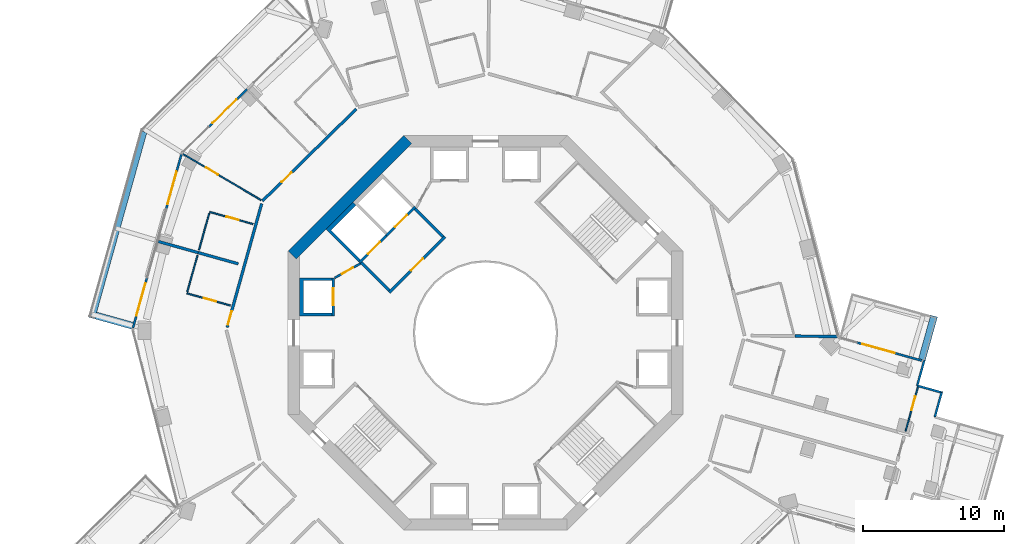
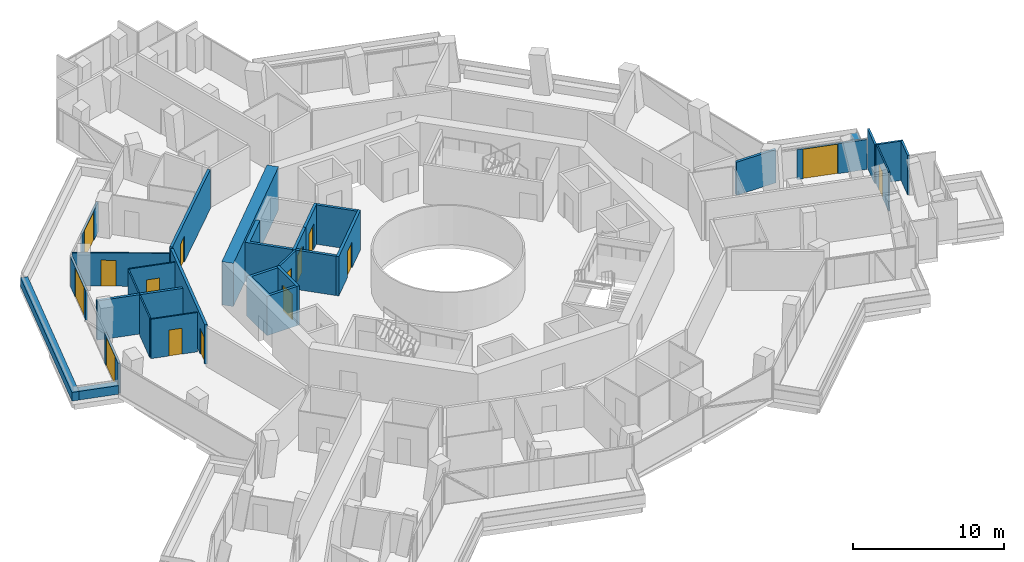
# One storey, part 21 of 26: 31 walls, 15 doors, 15 openings.
"""IFC4 building model written with IfcOpenShell, lengths in metres."""

from ifc_helpers import new_model, si_unit, direction, frame, frame_2d, origin, place, context, subcontext, project, spatial, polyline, rectangle, outline, extrude, material, layer, layer_set, type_object, element, fill, save


model = new_model("IFC4")

# Units and contexts
model_context = context("Model", 3, precision=1e-05, world=origin(), true_north=direction((0.0, 1.0)))
body_context = subcontext(model_context, "Body", "Model", "MODEL_VIEW")
ifc_project = project(units=[si_unit("LENGTHUNIT", "METRE"), si_unit("AREAUNIT", "SQUARE_METRE"), si_unit("VOLUMEUNIT", "CUBIC_METRE"), si_unit("PLANEANGLEUNIT", "RADIAN"), si_unit("MASSUNIT", "GRAM", prefix="KILO")], contexts=[model_context])

# Site, building, storey
site_placement = place(None, origin())
site = spatial("IfcSite", under=ifc_project, at=site_placement, CompositionType="ELEMENT")
building_placement = place(site_placement, origin())
building = spatial("IfcBuilding", under=site, at=building_placement, Name="Verdalira Terraces Hotel", CompositionType="ELEMENT")
storey_placement = place(building_placement, frame((0.0, 0.0, 93.0)))
storey = spatial("IfcBuildingStorey", under=building, at=storey_placement, Name="L21", CompositionType="ELEMENT", Elevation=93.0)

# Walls
ifc_material_1 = material(Name="Concrete C40", Category="concrete")
ifc_layer_1 = layer(ifc_material_1, 0.5)
ifc_layer_set_1 = layer_set([ifc_layer_1], Name="Balcony planter trough with tree")
wall_type_1 = type_object("IfcWallType", Name="Balcony planter trough with tree", PredefinedType="SOLIDWALL", material=ifc_layer_set_1)
wall_1_placement = place(storey_placement, frame((-24.263428, 14.27417, 0.0), z_axis=(0.0, 0.0, 1.0), x_axis=(-0.26893369, -0.963158694, 0.0)))
element("IfcWall", 1, at=wall_1_placement, inside=storey, type_object=wall_type_1, Name="Balcony planter", PredefinedType="SOLIDWALL", context=body_context, shape_type="SweptSolid", body=[
    extrude(rectangle(XDim=13.723389, YDim=0.5, at=frame_2d((6.861816, 0.0))), origin(), (0.0, 0.0, 1.0), 0.699951),
])
wall_2_placement = place(storey_placement, frame((-27.645996, 1.22998, 0.0), z_axis=(0.0, 0.0, 1.0), x_axis=(0.963161982, -0.268921917, 0.0)))
element("IfcWall", 2, at=wall_2_placement, inside=storey, type_object=wall_type_1, Name="Balcony planter", PredefinedType="SOLIDWALL", context=body_context, shape_type="SweptSolid", body=[
    extrude(rectangle(XDim=2.698975, YDim=0.5, at=frame_2d((1.349609, 0.0))), origin(), (0.0, 0.0, 1.0), 0.699951),
])
wall_3_placement = place(storey_placement, frame((30.963135, -1.895508, 0.0), z_axis=(0.0, 0.0, 1.0), x_axis=(0.268930686, 0.963159533, 0.0)))
element("IfcWall", 3, at=wall_3_placement, inside=storey, type_object=wall_type_1, Name="Balcony planter", PredefinedType="SOLIDWALL", context=body_context, shape_type="SweptSolid", body=[
    extrude(rectangle(XDim=3.199219, YDim=0.5, at=frame_2d((1.599609, 0.0))), origin(), (0.0, 0.0, 1.0), 0.699951),
])
ifc_material_2 = material(Name="Moisture-resistant gypsum board partition")
ifc_layer_2 = layer(ifc_material_2, 0.10009765625)
ifc_layer_set_2 = layer_set([ifc_layer_2], Name="Bathroom partition 100 mm")
wall_type_2 = type_object("IfcWallType", Name="Bathroom partition 100 mm", PredefinedType="PARTITIONING", material=ifc_layer_set_2)
for number, where, z_axis, x_axis, name in (
    (4, (-21.158691, 2.896729, 0.0), (0.0, 0.0, 1.0), (0.268912117, 0.963164718, 0.0), "Bathroom partition"),
    (5, (-19.599121, 8.483154, 0.0), (0.0, 0.0, 1.0), (-0.268912117, -0.963164718, 0.0), "Bathroom partition"),
):
    element("IfcWall", number, at=place(storey_placement, frame(where, z_axis=z_axis, x_axis=x_axis)), inside=storey, type_object=wall_type_2, Name=name, PredefinedType="PARTITIONING", context=body_context, shape_type="SweptSolid", body=[
        extrude(rectangle(XDim=2.699951, YDim=0.100098, at=frame_2d((1.350098, 0.0))), origin(), (0.0, 0.0, 1.0), 3.189941),
    ])

# Wall, opening, door
wall_4_placement = place(storey_placement, frame((-21.185791, 2.800293, 0.0), z_axis=(0.0, 0.0, 1.0), x_axis=(0.9631816, -0.26885164, 0.0)))
wall_4 = element("IfcWall", 6, at=wall_4_placement, inside=storey, type_object=wall_type_2, Name="Bathroom partition", PredefinedType="PARTITIONING", context=body_context, shape_type="SweptSolid", body=[
    extrude(rectangle(XDim=3.200195, YDim=0.100098, at=frame_2d((1.600098, 0.0))), origin(), (0.0, 0.0, 1.0), 3.189941),
])
opening_1_placement = place(wall_4_placement, frame((1.25, 0.0, 0.0)))
opening_1 = element("IfcOpeningElement", 7, at=opening_1_placement, cuts=wall_4, Name="Opening L21-112", PredefinedType="OPENING", context=body_context, shape_type="SweptSolid", body=[
    extrude(rectangle(XDim=0.899902, YDim=2.100098, at=frame_2d((0.449951, 1.050049))), frame((0.0, 0.060059, 0.0), z_axis=(0.0, -1.0, 0.0), x_axis=(1.0, 0.0, 0.0)), (0.0, 0.0, 1.0), 0.120117),
])
ifc_material_3 = material(Name="Timber door", Category="wood")
door_type_1 = type_object("IfcDoorType", Name="Bathroom door 900 x 2100", OperationType="NOTDEFINED", PredefinedType="DOOR", material=ifc_material_3)
door_1_placement = place(opening_1_placement, origin())
door_1 = element("IfcDoor", 8, at=door_1_placement, inside=storey, type_object=door_type_1, Name="Bathroom door 2104", OperationType="SINGLE_SWING_LEFT", OverallHeight=2.10009765625, OverallWidth=0.89990234375, PredefinedType="DOOR", context=body_context, shape_type="SweptSolid", body=[
    extrude(rectangle(XDim=0.899902, YDim=2.100098, at=frame_2d((0.449951, 1.050049))), frame((0.0, 0.024902, 0.0), z_axis=(0.0, -1.0, 0.0), x_axis=(1.0, 0.0, 0.0)), (0.0, 0.0, 1.0), 0.050049),
])
fill(opening_1, door_1)

wall_5_placement = place(storey_placement, frame((-16.48999, 7.71875, 0.0), z_axis=(0.0, 0.0, 1.0), x_axis=(-0.963161842, 0.268922415, 0.0)))
wall_5 = element("IfcWall", 9, at=wall_5_placement, inside=storey, type_object=wall_type_2, Name="Bathroom partition", PredefinedType="PARTITIONING", context=body_context, shape_type="SweptSolid", body=[
    extrude(rectangle(XDim=3.200195, YDim=0.100098, at=frame_2d((1.600098, 0.0))), origin(), (0.0, 0.0, 1.0), 3.189941),
])
opening_2_placement = place(wall_5_placement, frame((1.050049, 0.0, 0.0)))
opening_2 = element("IfcOpeningElement", 10, at=opening_2_placement, cuts=wall_5, Name="Opening L21-110", PredefinedType="OPENING", context=body_context, shape_type="SweptSolid", body=[
    extrude(rectangle(XDim=0.899902, YDim=2.100098, at=frame_2d((0.449951, 1.050049))), frame((0.0, 0.060059, 0.0), z_axis=(0.0, -1.0, 0.0), x_axis=(1.0, 0.0, 0.0)), (0.0, 0.0, 1.0), 0.120117),
])
door_2_placement = place(opening_2_placement, origin())
door_2 = element("IfcDoor", 11, at=door_2_placement, inside=storey, type_object=door_type_1, Name="Bathroom door 2103", OperationType="SINGLE_SWING_RIGHT", OverallHeight=2.10009765625, OverallWidth=0.89990234375, PredefinedType="DOOR", context=body_context, shape_type="SweptSolid", body=[
    extrude(rectangle(XDim=0.899902, YDim=2.100098, at=frame_2d((0.449951, 1.050049))), frame((0.0, 0.024902, 0.0), z_axis=(0.0, -1.0, 0.0), x_axis=(1.0, 0.0, 0.0)), (0.0, 0.0, 1.0), 0.050049),
])
fill(opening_2, door_2)

wall_6_placement = place(storey_placement, frame((29.80542, -6.972168, 0.0), z_axis=(0.0, 0.0, 1.0), x_axis=(0.268905867, 0.963166463, 0.0)))
wall_6 = element("IfcWall", 12, at=wall_6_placement, inside=storey, type_object=wall_type_2, Name="Bathroom partition", PredefinedType="PARTITIONING", context=body_context, shape_type="SweptSolid", body=[
    extrude(rectangle(XDim=3.252197, YDim=0.100098, at=frame_2d((1.625977, 0.0))), origin(), (0.0, 0.0, 1.0), 3.189941),
])
opening_3_placement = place(wall_6_placement, frame((1.550049, 0.0, 0.0)))
opening_3 = element("IfcOpeningElement", 13, at=opening_3_placement, cuts=wall_6, Name="Opening L21-130", PredefinedType="OPENING", context=body_context, shape_type="SweptSolid", body=[
    extrude(rectangle(XDim=1.0, YDim=2.100098, at=frame_2d((0.5, 1.050049))), frame((0.0, 0.060059, 0.0), z_axis=(0.0, -1.0, 0.0), x_axis=(1.0, 0.0, 0.0)), (0.0, 0.0, 1.0), 0.120117),
])
ifc_material_4 = material(Name="Timber door", Category="wood")
door_type_2 = type_object("IfcDoorType", Name="Suite internal door 1000 x 2100", OperationType="NOTDEFINED", PredefinedType="DOOR", material=ifc_material_4)
door_3_placement = place(opening_3_placement, origin())
door_3 = element("IfcDoor", 14, at=door_3_placement, inside=storey, type_object=door_type_2, Name="Suite internal door 2110", OperationType="SINGLE_SWING_LEFT", OverallHeight=2.10009765625, OverallWidth=1.0, PredefinedType="DOOR", context=body_context, shape_type="SweptSolid", body=[
    extrude(rectangle(XDim=1.0, YDim=2.100098, at=frame_2d((0.5, 1.050049))), frame((0.0, 0.024902, 0.0), z_axis=(0.0, -1.0, 0.0), x_axis=(1.0, 0.0, 0.0)), (0.0, 0.0, 1.0), 0.050049),
])
fill(opening_3, door_3)

ifc_material_5 = material(Name="Moisture-resistant gypsum board partition")
ifc_layer_3 = layer(ifc_material_5, 0.10009765625)
ifc_layer_set_3 = layer_set([ifc_layer_3], Name="Bathroom partition 100 mm to beam soffit")
wall_type_3 = type_object("IfcWallType", Name="Bathroom partition 100 mm to beam soffit", PredefinedType="PARTITIONING", material=ifc_layer_set_3)
wall_7_placement = place(storey_placement, frame((-15.913818, 9.411377, 0.0), z_axis=(0.0, 0.0, 1.0), x_axis=(-0.860735822, 0.509051908, 0.0)))
wall_7 = element("IfcWall", 15, at=wall_7_placement, inside=storey, type_object=wall_type_3, Name="Bathroom partition", PredefinedType="PARTITIONING", context=body_context, shape_type="SweptSolid", body=[
    extrude(rectangle(XDim=6.475586, YDim=0.100098, at=frame_2d((3.237793, 0.0))), origin(), (0.0, 0.0, 1.0), 2.689941),
])
opening_4_placement = place(wall_7_placement, frame((3.550049, 0.0, 0.0)))
opening_4 = element("IfcOpeningElement", 16, at=opening_4_placement, cuts=wall_7, Name="Opening L21-108", PredefinedType="OPENING", context=body_context, shape_type="SweptSolid", body=[
    extrude(rectangle(XDim=1.0, YDim=2.100098, at=frame_2d((0.5, 1.050049))), frame((0.0, 0.060059, 0.0), z_axis=(0.0, -1.0, 0.0), x_axis=(1.0, 0.0, 0.0)), (0.0, 0.0, 1.0), 0.120117),
])
door_4_placement = place(opening_4_placement, origin())
door_4 = element("IfcDoor", 17, at=door_4_placement, inside=storey, type_object=door_type_2, Name="Suite internal door 2103", OperationType="SINGLE_SWING_LEFT", OverallHeight=2.10009765625, OverallWidth=1.0, PredefinedType="DOOR", context=body_context, shape_type="SweptSolid", body=[
    extrude(rectangle(XDim=1.0, YDim=2.100098, at=frame_2d((0.5, 1.050049))), frame((0.0, 0.024902, 0.0), z_axis=(0.0, -1.0, 0.0), x_axis=(1.0, 0.0, 0.0)), (0.0, 0.0, 1.0), 0.050049),
])
fill(opening_4, door_4)

# Wall
ifc_material_6 = material(Name="Concrete C50", Category="concrete")
ifc_layer_4 = layer(ifc_material_6, 0.199951171875)
ifc_layer_set_4 = layer_set([ifc_layer_4], Name="Core RC wall 200 C50")
wall_type_4 = type_object("IfcWallType", Name="Core RC wall 200 C50", PredefinedType="SOLIDWALL", material=ifc_layer_set_4)
wall_8_placement = place(storey_placement, origin())
element("IfcWall", 18, at=wall_8_placement, inside=storey, type_object=wall_type_4, Name="L21 shaft wall W1", PredefinedType="SOLIDWALL", context=body_context, shape_type="SweptSolid", body=[
    extrude(outline(polyline([(-13.199951, 3.899902), (-10.899902, 3.899902), (-10.899902, 3.699951), (-12.899902, 3.699951), (-12.899902, 1.399902), (-10.899902, 1.399902), (-10.899902, 1.199951), (-13.199951, 1.199951), (-13.199951, 3.899902)])), origin(), (0.0, 0.0, 1.0), 3.189941),
])

# Wall, opening, door
wall_9_placement = place(storey_placement, frame((-10.800049, 1.199951, 0.0), z_axis=(0.0, 0.0, 1.0), x_axis=(0.0, 1.0, 0.0)))
wall_9 = element("IfcWall", 19, at=wall_9_placement, inside=storey, type_object=wall_type_4, Name="L21 shaft front wall W1", PredefinedType="SOLIDWALL", context=body_context, shape_type="SweptSolid", body=[
    extrude(rectangle(XDim=2.699951, YDim=0.199951, at=frame_2d((1.350098, 0.0))), origin(), (0.0, 0.0, 1.0), 3.189941),
])
opening_5_placement = place(wall_9_placement, frame((0.75, 0.0, 0.0)))
opening_5 = element("IfcOpeningElement", 20, at=opening_5_placement, cuts=wall_9, Name="Opening LD-L21-805", PredefinedType="OPENING", context=body_context, shape_type="SweptSolid", body=[
    extrude(rectangle(XDim=1.199951, YDim=2.100098, at=frame_2d((0.600098, 1.050049))), frame((0.0, 0.109863, 0.0), z_axis=(0.0, -1.0, 0.0), x_axis=(1.0, 0.0, 0.0)), (0.0, 0.0, 1.0), 0.219971),
])
ifc_material_7 = material(Name="Stainless steel", Category="steel")
door_type_3 = type_object("IfcDoorType", Name="Landing door 1200 x 2100", OperationType="NOTDEFINED", PredefinedType="DOOR", material=ifc_material_7)
door_5_placement = place(opening_5_placement, origin())
door_5 = element("IfcDoor", 21, at=door_5_placement, inside=storey, type_object=door_type_3, Name="Lift landing door LR5 L21", OperationType="DOUBLE_DOOR_SLIDING", OverallHeight=2.10009765625, OverallWidth=1.199951171875, PredefinedType="DOOR", context=body_context, shape_type="SweptSolid", body=[
    extrude(rectangle(XDim=1.199951, YDim=2.100098, at=frame_2d((0.600098, 1.050049))), frame((0.0, 0.024902, 0.0), z_axis=(0.0, -1.0, 0.0), x_axis=(1.0, 0.0, 0.0)), (0.0, 0.0, 1.0), 0.050049),
])
fill(opening_5, door_5)

wall_10_placement = place(storey_placement, frame((-4.985107, 8.944824, 0.0), z_axis=(0.0, 0.0, 1.0), x_axis=(-0.707106781, -0.707106781, 0.0)))
wall_10 = element("IfcWall", 22, at=wall_10_placement, inside=storey, type_object=wall_type_4, Name="L21 shaft front wall F1", PredefinedType="SOLIDWALL", context=body_context, shape_type="SweptSolid", body=[
    extrude(rectangle(XDim=2.899902, YDim=0.199951, at=frame_2d((1.449951, 0.0))), origin(), (0.0, 0.0, 1.0), 3.189941),
])
opening_6_placement = place(wall_10_placement, frame((0.850098, 0.0, 0.0)))
opening_6 = element("IfcOpeningElement", 23, at=opening_6_placement, cuts=wall_10, Name="Opening LD-L21-807", PredefinedType="OPENING", context=body_context, shape_type="SweptSolid", body=[
    extrude(rectangle(XDim=1.199951, YDim=2.100098, at=frame_2d((0.600098, 1.050049))), frame((0.0, 0.109863, 0.0), z_axis=(0.0, -1.0, 0.0), x_axis=(1.0, 0.0, 0.0)), (0.0, 0.0, 1.0), 0.219971),
])
door_6_placement = place(opening_6_placement, origin())
door_6 = element("IfcDoor", 24, at=door_6_placement, inside=storey, type_object=door_type_3, Name="Lift landing door LF11 L21", OperationType="DOUBLE_DOOR_SLIDING", OverallHeight=2.10009765625, OverallWidth=1.199951171875, PredefinedType="DOOR", context=body_context, shape_type="SweptSolid", body=[
    extrude(rectangle(XDim=1.199951, YDim=2.100098, at=frame_2d((0.600098, 1.050049))), frame((0.0, 0.024902, 0.0), z_axis=(0.0, -1.0, 0.0), x_axis=(1.0, 0.0, 0.0)), (0.0, 0.0, 1.0), 0.050049),
])
fill(opening_6, door_6)

# Wall
wall_11_placement = place(storey_placement, origin())
element("IfcWall", 25, at=wall_11_placement, inside=storey, type_object=wall_type_4, Name="L21 shaft wall F2", PredefinedType="SOLIDWALL", context=body_context, shape_type="SweptSolid", body=[
    extrude(outline(polyline([(-11.313721, 7.354004), (-9.404541, 9.263184), (-9.192383, 9.051025), (-10.960205, 7.283203), (-8.874268, 5.197266), (-9.015625, 5.055908), (-11.313721, 7.354004)])), origin(), (0.0, 0.0, 1.0), 3.189941),
])

# Wall, opening, door
wall_12_placement = place(storey_placement, frame((-7.035645, 6.894287, 0.0), z_axis=(0.0, 0.0, 1.0), x_axis=(-0.707106781, -0.707106781, 0.0)))
wall_12 = element("IfcWall", 26, at=wall_12_placement, inside=storey, type_object=wall_type_4, Name="L21 shaft front wall F2", PredefinedType="SOLIDWALL", context=body_context, shape_type="SweptSolid", body=[
    extrude(rectangle(XDim=2.699951, YDim=0.199951, at=frame_2d((1.350098, 0.0))), origin(), (0.0, 0.0, 1.0), 3.189941),
])
opening_7_placement = place(wall_12_placement, frame((0.649902, 0.0, 0.0)))
opening_7 = element("IfcOpeningElement", 27, at=opening_7_placement, cuts=wall_12, Name="Opening LD-L21-808", PredefinedType="OPENING", context=body_context, shape_type="SweptSolid", body=[
    extrude(rectangle(XDim=1.199951, YDim=2.100098, at=frame_2d((0.600098, 1.050049))), frame((0.0, 0.109863, 0.0), z_axis=(0.0, -1.0, 0.0), x_axis=(1.0, 0.0, 0.0)), (0.0, 0.0, 1.0), 0.219971),
])
door_7_placement = place(opening_7_placement, origin())
door_7 = element("IfcDoor", 28, at=door_7_placement, inside=storey, type_object=door_type_3, Name="Lift landing door LF12 L21", OperationType="DOUBLE_DOOR_SLIDING", OverallHeight=2.10009765625, OverallWidth=1.199951171875, PredefinedType="DOOR", context=body_context, shape_type="SweptSolid", body=[
    extrude(rectangle(XDim=1.199951, YDim=2.100098, at=frame_2d((0.600098, 1.050049))), frame((0.0, 0.024902, 0.0), z_axis=(0.0, -1.0, 0.0), x_axis=(1.0, 0.0, 0.0)), (0.0, 0.0, 1.0), 0.050049),
])
fill(opening_7, door_7)

wall_13_placement = place(storey_placement, frame((-2.86377, 6.823486, 0.0), z_axis=(0.0, 0.0, 1.0), x_axis=(-0.707106781, -0.707106781, 0.0)))
wall_13 = element("IfcWall", 29, at=wall_13_placement, inside=storey, type_object=wall_type_4, Name="L21 fire lobby wall", PredefinedType="SOLIDWALL", context=body_context, shape_type="SweptSolid", body=[
    extrude(rectangle(XDim=5.599854, YDim=0.199951, at=frame_2d((2.799805, 0.0))), origin(), (0.0, 0.0, 1.0), 3.189941),
])
opening_8_placement = place(wall_13_placement, frame((2.199951, 0.0, 0.0)))
opening_8 = element("IfcOpeningElement", 30, at=opening_8_placement, cuts=wall_13, Name="Opening L21-819", PredefinedType="OPENING", context=body_context, shape_type="SweptSolid", body=[
    extrude(rectangle(XDim=1.199951, YDim=2.100098, at=frame_2d((0.600098, 1.050049))), frame((0.0, 0.109863, 0.0), z_axis=(0.0, -1.0, 0.0), x_axis=(1.0, 0.0, 0.0)), (0.0, 0.0, 1.0), 0.219971),
])
ifc_material_8 = material(Name="Steel fire door", Category="steel")
door_type_4 = type_object("IfcDoorType", Name="Lobby door 1200 x 2100", OperationType="NOTDEFINED", PredefinedType="DOOR", material=ifc_material_8)
door_8_placement = place(opening_8_placement, origin())
door_8 = element("IfcDoor", 31, at=door_8_placement, inside=storey, type_object=door_type_4, Name="Fire lobby door L21", OperationType="SINGLE_SWING_LEFT", OverallHeight=2.10009765625, OverallWidth=1.199951171875, PredefinedType="DOOR", context=body_context, shape_type="SweptSolid", body=[
    extrude(rectangle(XDim=1.199951, YDim=2.100098, at=frame_2d((0.600098, 1.050049))), frame((0.0, 0.024902, 0.0), z_axis=(0.0, -1.0, 0.0), x_axis=(1.0, 0.0, 0.0)), (0.0, 0.0, 1.0), 0.050049),
])
fill(opening_8, door_8)

# Walls
for number, where, z_axis, x_axis, name in (
    (32, (-3.005127, 6.823486, 0.0), (0.0, 0.0, 1.0), (-0.707106781, 0.707106781, 0.0), "L21 fire lobby wall"),
    (33, (-6.823486, 3.005127, 0.0), (0.0, 0.0, 1.0), (-0.707106781, 0.707106781, 0.0), "L21 fire lobby wall"),
):
    element("IfcWall", number, at=place(storey_placement, frame(where, z_axis=z_axis, x_axis=x_axis)), inside=storey, type_object=wall_type_4, Name=name, PredefinedType="SOLIDWALL", context=body_context, shape_type="SweptSolid", body=[
        extrude(rectangle(XDim=2.800049, YDim=0.199951, at=frame_2d((1.399902, 0.0))), origin(), (0.0, 0.0, 1.0), 3.189941),
    ])

# Wall, opening, door
ifc_material_9 = material(Name="Gypsum board partition")
ifc_layer_5 = layer(ifc_material_9, 0.14990234375)
ifc_layer_set_5 = layer_set([ifc_layer_5], Name="Core partition 150 mm")
wall_type_5 = type_object("IfcWallType", Name="Core partition 150 mm", PredefinedType="PARTITIONING", material=ifc_layer_set_5)
wall_14_placement = place(storey_placement, frame((-8.874268, 4.914307, 0.0), z_axis=(0.0, 0.0, 1.0), x_axis=(-0.874129705, -0.485692555, 0.0)))
wall_14 = element("IfcWall", 34, at=wall_14_placement, inside=storey, type_object=wall_type_5, Name="Room partition L21", PredefinedType="PARTITIONING", context=body_context, shape_type="SweptSolid", body=[
    extrude(rectangle(XDim=2.088623, YDim=0.149902, at=frame_2d((1.044434, 0.0))), origin(), (0.0, 0.0, 1.0), 3.189941),
])
opening_9_placement = place(wall_14_placement, frame((0.594238, 0.0, 0.0)))
opening_9 = element("IfcOpeningElement", 35, at=opening_9_placement, cuts=wall_14, Name="Opening L21-821", PredefinedType="OPENING", context=body_context, shape_type="SweptSolid", body=[
    extrude(rectangle(XDim=0.899902, YDim=2.100098, at=frame_2d((0.449951, 1.050049))), frame((0.0, 0.084961, 0.0), z_axis=(0.0, -1.0, 0.0), x_axis=(1.0, 0.0, 0.0)), (0.0, 0.0, 1.0), 0.169922),
])
ifc_material_10 = material(Name="Steel fire door", Category="steel")
door_type_5 = type_object("IfcDoorType", Name="Core room door 900 x 2100", OperationType="NOTDEFINED", PredefinedType="DOOR", material=ifc_material_10)
door_9_placement = place(opening_9_placement, origin())
door_9 = element("IfcDoor", 36, at=door_9_placement, inside=storey, type_object=door_type_5, Name="Door L21 room3", OperationType="SINGLE_SWING_LEFT", OverallHeight=2.10009765625, OverallWidth=0.89990234375, PredefinedType="DOOR", context=body_context, shape_type="SweptSolid", body=[
    extrude(rectangle(XDim=0.899902, YDim=2.100098, at=frame_2d((0.449951, 1.050049))), frame((0.0, 0.024902, 0.0), z_axis=(0.0, -1.0, 0.0), x_axis=(1.0, 0.0, 0.0)), (0.0, 0.0, 1.0), 0.050049),
])
fill(opening_9, door_9)

# Walls
ifc_material_11 = material(Name="Concrete C70", Category="concrete")
ifc_layer_6 = layer(ifc_material_11, 0.800048828125)
ifc_layer_set_6 = layer_set([ifc_layer_6], Name="Core wall 800 C70")
wall_type_6 = type_object("IfcWallType", Name="Core wall 800 C70", PredefinedType="SHEAR", material=ifc_layer_set_6)
wall_15_placement = place(storey_placement, frame((-5.516113, 13.717285, 0.0), z_axis=(0.0, 0.0, 1.0), x_axis=(-0.707106781, -0.707106781, 0.0)))
element("IfcWall", 37, at=wall_15_placement, inside=storey, type_object=wall_type_6, Name="Core wall CW-L21-4", PredefinedType="SHEAR", context=body_context, shape_type="SweptSolid", body=[
    extrude(rectangle(XDim=11.598145, YDim=0.800049, at=frame_2d((5.799072, 0.0))), origin(), (0.0, 0.0, 1.0), 3.5),
])
ifc_material_12 = material(Name="Fire-rated gypsum board wall")
ifc_layer_7 = layer(ifc_material_12, 0.199951171875)
ifc_layer_set_7 = layer_set([ifc_layer_7], Name="Demising wall 200 mm")
wall_type_7 = type_object("IfcWallType", Name="Demising wall 200 mm", PredefinedType="SOLIDWALL", material=ifc_layer_set_7)
wall_16_placement = place(storey_placement, frame((-20.378906, 5.689941, 0.0), z_axis=(0.0, 0.0, 1.0), x_axis=(-0.963170883, 0.268890033, 0.0)))
element("IfcWall", 38, at=wall_16_placement, inside=storey, type_object=wall_type_7, Name="Demising wall", PredefinedType="SOLIDWALL", context=body_context, shape_type="SweptSolid", body=[
    extrude(rectangle(XDim=2.949951, YDim=0.199951, at=frame_2d((1.475098, 0.0))), origin(), (0.0, 0.0, 1.0), 3.189941),
])
wall_17_placement = place(storey_placement, frame((-17.534912, 4.895752, 0.0), z_axis=(0.0, 0.0, 1.0), x_axis=(-0.963150985, 0.268961298, 0.0)))
element("IfcWall", 39, at=wall_17_placement, inside=storey, type_object=wall_type_7, Name="Demising wall", PredefinedType="SOLIDWALL", context=body_context, shape_type="SweptSolid", body=[
    extrude(rectangle(XDim=2.952881, YDim=0.199951, at=frame_2d((1.476562, 0.0))), origin(), (0.0, 0.0, 1.0), 3.189941),
])
ifc_material_13 = material(Name="Fire-rated gypsum board wall")
ifc_layer_8 = layer(ifc_material_13, 0.199951171875)
ifc_layer_set_8 = layer_set([ifc_layer_8], Name="Demising wall 200 mm to beam soffit")
wall_type_8 = type_object("IfcWallType", Name="Demising wall 200 mm to beam soffit", PredefinedType="SOLIDWALL", material=ifc_layer_set_8)
wall_18_placement = place(storey_placement, frame((21.951416, -0.22998, 0.0), z_axis=(0.0, 0.0, 1.0), x_axis=(0.99994531, -0.010458322, 0.0)))
element("IfcWall", 40, at=wall_18_placement, inside=storey, type_object=wall_type_8, Name="Demising wall", PredefinedType="SOLIDWALL", context=body_context, shape_type="SweptSolid", body=[
    extrude(rectangle(XDim=3.011475, YDim=0.199951, at=frame_2d((1.505859, 0.0))), origin(), (0.0, 0.0, 1.0), 2.689941),
])

# Wall, opening, door
ifc_material_14 = material(Name="Fire-rated gypsum board wall")
ifc_layer_9 = layer(ifc_material_14, 0.199951171875)
ifc_layer_set_9 = layer_set([ifc_layer_9], Name="Guest corridor wall 200 mm")
wall_type_9 = type_object("IfcWallType", Name="Guest corridor wall 200 mm", PredefinedType="SOLIDWALL", material=ifc_layer_set_9)
wall_19_placement = place(storey_placement, frame((-18.329834, 0.385742, 0.0), z_axis=(0.0, 0.0, 1.0), x_axis=(0.268911641, 0.96316485, 0.0)))
wall_19 = element("IfcWall", 41, at=wall_19_placement, inside=storey, type_object=wall_type_9, Name="Guest corridor wall", PredefinedType="SOLIDWALL", context=body_context, shape_type="SweptSolid", body=[
    extrude(rectangle(XDim=9.115967, YDim=0.199951, at=frame_2d((4.558105, 0.0))), origin(), (0.0, 0.0, 1.0), 3.189941),
])
opening_10_placement = place(wall_19_placement, frame((0.199951, 0.0, 0.0)))
opening_10 = element("IfcOpeningElement", 42, at=opening_10_placement, cuts=wall_19, Name="Opening L21-111", PredefinedType="OPENING", context=body_context, shape_type="SweptSolid", body=[
    extrude(rectangle(XDim=1.0, YDim=2.100098, at=frame_2d((0.5, 1.050049))), frame((0.0, 0.109863, 0.0), z_axis=(0.0, -1.0, 0.0), x_axis=(1.0, 0.0, 0.0)), (0.0, 0.0, 1.0), 0.219971),
])
ifc_material_15 = material(Name="Timber fire door", Category="wood")
door_type_6 = type_object("IfcDoorType", Name="Guest entry door 1000 x 2100", OperationType="NOTDEFINED", PredefinedType="DOOR", material=ifc_material_15)
door_10_placement = place(opening_10_placement, origin())
door_10 = element("IfcDoor", 43, at=door_10_placement, inside=storey, type_object=door_type_6, Name="Guest entry door 2104", OperationType="SINGLE_SWING_LEFT", OverallHeight=2.10009765625, OverallWidth=1.0, PredefinedType="DOOR", context=body_context, shape_type="SweptSolid", body=[
    extrude(rectangle(XDim=1.0, YDim=2.100098, at=frame_2d((0.5, 1.050049))), frame((0.0, 0.024902, 0.0), z_axis=(0.0, -1.0, 0.0), x_axis=(1.0, 0.0, 0.0)), (0.0, 0.0, 1.0), 0.050049),
])
fill(opening_10, door_10)

wall_20_placement = place(storey_placement, frame((-15.824463, 9.358643, 0.0), z_axis=(0.0, 0.0, 1.0), x_axis=(0.714458026, 0.699678304, 0.0)))
wall_20 = element("IfcWall", 44, at=wall_20_placement, inside=storey, type_object=wall_type_9, Name="Guest corridor wall", PredefinedType="SOLIDWALL", context=body_context, shape_type="SweptSolid", body=[
    extrude(rectangle(XDim=9.316406, YDim=0.199951, at=frame_2d((4.658203, 0.0))), origin(), (0.0, 0.0, 1.0), 3.189941),
])
opening_11_placement = place(wall_20_placement, frame((1.899902, 0.0, 0.0)))
opening_11 = element("IfcOpeningElement", 45, at=opening_11_placement, cuts=wall_20, Name="Opening L21-106", PredefinedType="OPENING", context=body_context, shape_type="SweptSolid", body=[
    extrude(rectangle(XDim=1.0, YDim=2.100098, at=frame_2d((0.5, 1.050049))), frame((0.0, 0.109863, 0.0), z_axis=(0.0, -1.0, 0.0), x_axis=(1.0, 0.0, 0.0)), (0.0, 0.0, 1.0), 0.219971),
])
door_11_placement = place(opening_11_placement, origin())
door_11 = element("IfcDoor", 46, at=door_11_placement, inside=storey, type_object=door_type_6, Name="Guest entry door 2103", OperationType="SINGLE_SWING_LEFT", OverallHeight=2.10009765625, OverallWidth=1.0, PredefinedType="DOOR", context=body_context, shape_type="SweptSolid", body=[
    extrude(rectangle(XDim=1.0, YDim=2.100098, at=frame_2d((0.5, 1.050049))), frame((0.0, 0.024902, 0.0), z_axis=(0.0, -1.0, 0.0), x_axis=(1.0, 0.0, 0.0)), (0.0, 0.0, 1.0), 0.050049),
])
fill(opening_11, door_11)

# Walls
ifc_material_16 = material(Name="Terracotta cladding", Category="masonry")
ifc_layer_10 = layer(ifc_material_16, 0.14990234375)
ifc_layer_set_10 = layer_set([ifc_layer_10], Name="Terracotta clad wall 150")
wall_type_10 = type_object("IfcWallType", Name="Terracotta clad wall 150", PredefinedType="SOLIDWALL", material=ifc_layer_set_10)
wall_21_placement = place(storey_placement, frame((31.876953, -5.967041, 0.0), z_axis=(0.0, 0.0, 1.0), x_axis=(0.268839939, 0.963184867, 0.0)))
element("IfcWall", 47, at=wall_21_placement, inside=storey, type_object=wall_type_10, Name="Terracotta cladding wall", PredefinedType="SOLIDWALL", context=body_context, shape_type="SweptSolid", body=[
    extrude(rectangle(XDim=1.799805, YDim=0.149902, at=frame_2d((0.899902, 0.0))), origin(), (0.0, 0.0, 1.0), 3.189941),
])
wall_22_placement = place(storey_placement, frame((32.433105, -4.253662, 0.0), z_axis=(0.0, 0.0, 1.0), x_axis=(-0.963171993, 0.268886057, 0.0)))
element("IfcWall", 48, at=wall_22_placement, inside=storey, type_object=wall_type_10, Name="Terracotta cladding wall", PredefinedType="SOLIDWALL", context=body_context, shape_type="SweptSolid", body=[
    extrude(rectangle(XDim=1.875, YDim=0.149902, at=frame_2d((0.9375, 0.0))), origin(), (0.0, 0.0, 1.0), 3.189941),
])
wall_23_placement = place(storey_placement, frame((30.627197, -3.749512, 0.0), z_axis=(0.0, 0.0, 1.0), x_axis=(0.268973117, 0.963147685, 0.0)))
element("IfcWall", 49, at=wall_23_placement, inside=storey, type_object=wall_type_10, Name="Terracotta cladding wall", PredefinedType="SOLIDWALL", context=body_context, shape_type="SweptSolid", body=[
    extrude(rectangle(XDim=1.875244, YDim=0.149902, at=frame_2d((0.9375, 0.0))), origin(), (0.0, 0.0, 1.0), 3.189941),
])

# Wall, opening, door
ifc_material_17 = material(Name="Terracotta cladding", Category="masonry")
ifc_layer_11 = layer(ifc_material_17, 0.14990234375)
ifc_layer_set_11 = layer_set([ifc_layer_11], Name="Terracotta door pier 150")
wall_type_11 = type_object("IfcWallType", Name="Terracotta door pier 150", PredefinedType="SOLIDWALL", material=ifc_layer_set_11)
wall_24_placement = place(storey_placement, frame((-16.920166, 17.27832, 0.0), z_axis=(0.0, 0.0, 1.0), x_axis=(-0.714483248, -0.699652549, 0.0)))
wall_24 = element("IfcWall", 50, at=wall_24_placement, inside=storey, type_object=wall_type_11, Name="Terracotta door pier", PredefinedType="SOLIDWALL", context=body_context, shape_type="SweptSolid", body=[
    extrude(rectangle(XDim=3.835693, YDim=0.149902, at=frame_2d((1.917969, 0.0))), origin(), (0.0, 0.0, 1.0), 2.425049),
])
opening_12_placement = place(wall_24_placement, frame((1.0354, 0.0, 0.0)))
opening_12 = element("IfcOpeningElement", 51, at=opening_12_placement, cuts=wall_24, Name="Opening L21-B02", PredefinedType="OPENING", context=body_context, shape_type="SweptSolid", body=[
    extrude(rectangle(XDim=2.399902, YDim=2.399902, at=frame_2d((1.199951, 1.199951))), frame((0.0, 0.084961, 0.0), z_axis=(0.0, -1.0, 0.0), x_axis=(1.0, 0.0, 0.0)), (0.0, 0.0, 1.0), 0.169922),
])
ifc_material_18 = material(Name="Clear glass", Category="glass")
door_type_7 = type_object("IfcDoorType", Name="Balcony sliding door 2400x2400", OperationType="NOTDEFINED", PredefinedType="DOOR", material=ifc_material_18)
door_12_placement = place(opening_12_placement, origin())
door_12 = element("IfcDoor", 52, at=door_12_placement, inside=storey, type_object=door_type_7, Name="Balcony sliding door", OperationType="SLIDING_TO_LEFT", OverallHeight=2.39990234375, OverallWidth=2.39990234375, PredefinedType="DOOR", context=body_context, shape_type="SweptSolid", body=[
    extrude(rectangle(XDim=2.399902, YDim=2.399902, at=frame_2d((1.199951, 1.199951))), frame((0.0, 0.024902, 0.0), z_axis=(0.0, -1.0, 0.0), x_axis=(1.0, 0.0, 0.0)), (0.0, 0.0, 1.0), 0.050049),
])
fill(opening_12, door_12)

wall_25_placement = place(storey_placement, frame((-21.571533, 12.66748, 0.0), z_axis=(0.0, 0.0, 1.0), x_axis=(-0.268881842, -0.96317317, 0.0)))
wall_25 = element("IfcWall", 53, at=wall_25_placement, inside=storey, type_object=wall_type_11, Name="Terracotta door pier", PredefinedType="SOLIDWALL", context=body_context, shape_type="SweptSolid", body=[
    extrude(rectangle(XDim=4.067871, YDim=0.149902, at=frame_2d((2.033936, 0.0))), origin(), (0.0, 0.0, 1.0), 2.425049),
])
opening_13_placement = place(wall_25_placement, frame((1.267822, 0.0, 0.0)))
opening_13 = element("IfcOpeningElement", 54, at=opening_13_placement, cuts=wall_25, Name="Opening L21-B03", PredefinedType="OPENING", context=body_context, shape_type="SweptSolid", body=[
    extrude(rectangle(XDim=2.399902, YDim=2.399902, at=frame_2d((1.199951, 1.199951))), frame((0.0, 0.084961, 0.0), z_axis=(0.0, -1.0, 0.0), x_axis=(1.0, 0.0, 0.0)), (0.0, 0.0, 1.0), 0.169922),
])
door_13_placement = place(opening_13_placement, origin())
door_13 = element("IfcDoor", 55, at=door_13_placement, inside=storey, type_object=door_type_7, Name="Balcony sliding door", OperationType="SLIDING_TO_LEFT", OverallHeight=2.39990234375, OverallWidth=2.39990234375, PredefinedType="DOOR", context=body_context, shape_type="SweptSolid", body=[
    extrude(rectangle(XDim=2.399902, YDim=2.399902, at=frame_2d((1.199951, 1.199951))), frame((0.0, 0.024902, 0.0), z_axis=(0.0, -1.0, 0.0), x_axis=(1.0, 0.0, 0.0)), (0.0, 0.0, 1.0), 0.050049),
])
fill(opening_13, door_13)

wall_26_placement = place(storey_placement, frame((-24.015869, 3.912842, 0.0), z_axis=(0.0, 0.0, 1.0), x_axis=(-0.268875634, -0.963174903, 0.0)))
wall_26 = element("IfcWall", 56, at=wall_26_placement, inside=storey, type_object=wall_type_11, Name="Terracotta door pier", PredefinedType="SOLIDWALL", context=body_context, shape_type="SweptSolid", body=[
    extrude(rectangle(XDim=3.710205, YDim=0.149902, at=frame_2d((1.85498, 0.0))), origin(), (0.0, 0.0, 1.0), 2.425049),
])
opening_14_placement = place(wall_26_placement, frame((0.399902, 0.0, 0.0)))
opening_14 = element("IfcOpeningElement", 57, at=opening_14_placement, cuts=wall_26, Name="Opening L21-B04", PredefinedType="OPENING", context=body_context, shape_type="SweptSolid", body=[
    extrude(rectangle(XDim=2.399902, YDim=2.399902, at=frame_2d((1.199951, 1.199951))), frame((0.0, 0.084961, 0.0), z_axis=(0.0, -1.0, 0.0), x_axis=(1.0, 0.0, 0.0)), (0.0, 0.0, 1.0), 0.169922),
])
door_14_placement = place(opening_14_placement, origin())
door_14 = element("IfcDoor", 58, at=door_14_placement, inside=storey, type_object=door_type_7, Name="Balcony sliding door", OperationType="SLIDING_TO_RIGHT", OverallHeight=2.39990234375, OverallWidth=2.39990234375, PredefinedType="DOOR", context=body_context, shape_type="SweptSolid", body=[
    extrude(rectangle(XDim=2.399902, YDim=2.399902, at=frame_2d((1.199951, 1.199951))), frame((0.0, 0.024902, 0.0), z_axis=(0.0, -1.0, 0.0), x_axis=(1.0, 0.0, 0.0)), (0.0, 0.0, 1.0), 0.050049),
])
fill(opening_14, door_14)

wall_27_placement = place(storey_placement, frame((30.97168, -1.976807, 0.0), z_axis=(0.0, 0.0, 1.0), x_axis=(-0.963157095, 0.268939419, 0.0)))
wall_27 = element("IfcWall", 59, at=wall_27_placement, inside=storey, type_object=wall_type_11, Name="Terracotta door pier", PredefinedType="SOLIDWALL", context=body_context, shape_type="SweptSolid", body=[
    extrude(rectangle(XDim=4.800293, YDim=0.149902, at=frame_2d((2.400146, 0.0))), origin(), (0.0, 0.0, 1.0), 2.425049),
])
opening_15_placement = place(wall_27_placement, frame((2.000244, 0.0, 0.0)))
opening_15 = element("IfcOpeningElement", 60, at=opening_15_placement, cuts=wall_27, Name="Opening L21-B16", PredefinedType="OPENING", context=body_context, shape_type="SweptSolid", body=[
    extrude(rectangle(XDim=2.399902, YDim=2.399902, at=frame_2d((1.199951, 1.199951))), frame((0.0, 0.084961, 0.0), z_axis=(0.0, -1.0, 0.0), x_axis=(1.0, 0.0, 0.0)), (0.0, 0.0, 1.0), 0.169922),
])
door_15_placement = place(opening_15_placement, origin())
door_15 = element("IfcDoor", 61, at=door_15_placement, inside=storey, type_object=door_type_7, Name="Balcony sliding door", OperationType="SLIDING_TO_LEFT", OverallHeight=2.39990234375, OverallWidth=2.39990234375, PredefinedType="DOOR", context=body_context, shape_type="SweptSolid", body=[
    extrude(rectangle(XDim=2.399902, YDim=2.399902, at=frame_2d((1.199951, 1.199951))), frame((0.0, 0.024902, 0.0), z_axis=(0.0, -1.0, 0.0), x_axis=(1.0, 0.0, 0.0)), (0.0, 0.0, 1.0), 0.050049),
])
fill(opening_15, door_15)

save(model, "model.ifc")
